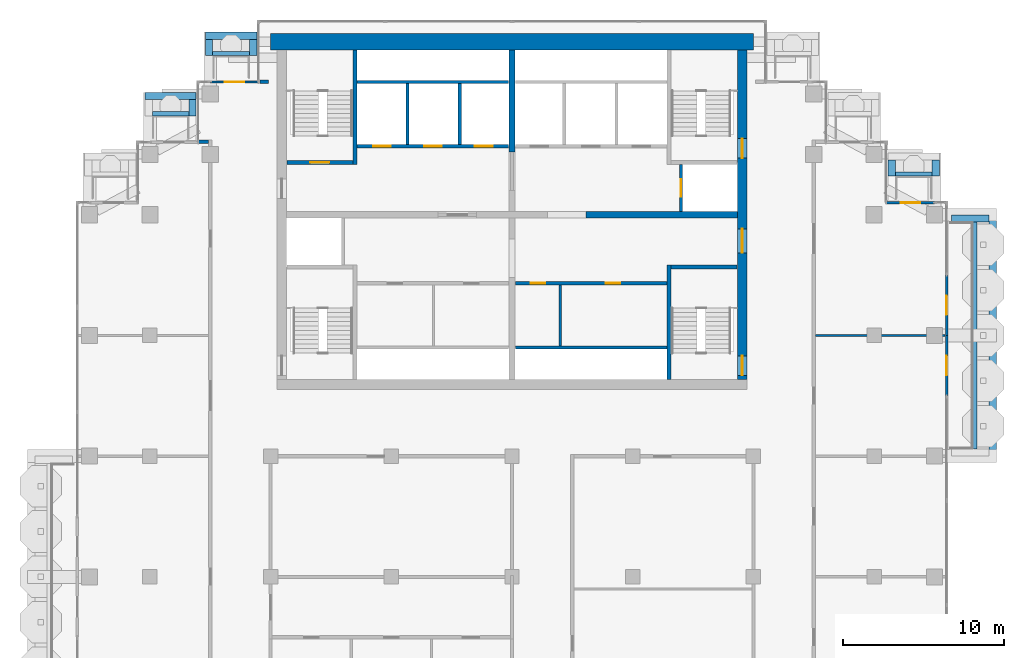
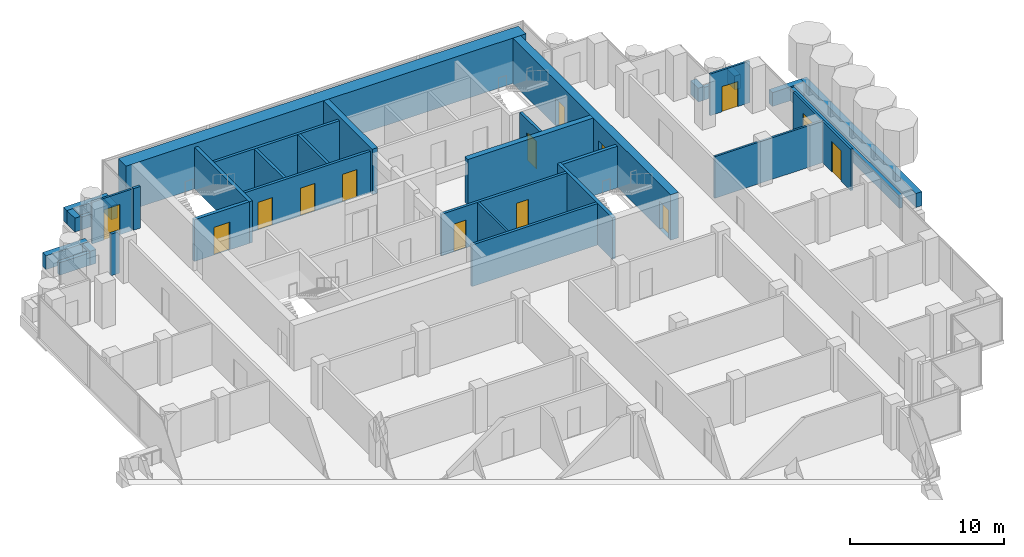
# One storey, part 13 of 18: 36 walls, 14 doors, 14 openings.
"""IFC4 building model written with IfcOpenShell, lengths in metres."""

from ifc_helpers import new_model, si_unit, direction, frame, frame_2d, origin, place, context, subcontext, project, spatial, rectangle, extrude, material, layer, layer_set, type_object, element, fill, save


model = new_model("IFC4")

# Units and contexts
model_context = context("Model", 3, precision=1e-05, world=origin(), true_north=direction((0.0, 1.0)))
body_context = subcontext(model_context, "Body", "Model", "MODEL_VIEW")
ifc_project = project(units=[si_unit("LENGTHUNIT", "METRE"), si_unit("AREAUNIT", "SQUARE_METRE"), si_unit("VOLUMEUNIT", "CUBIC_METRE"), si_unit("PLANEANGLEUNIT", "RADIAN"), si_unit("MASSUNIT", "GRAM", prefix="KILO")], contexts=[model_context])

# Site, building, storey
site_placement = place(None, origin())
site = spatial("IfcSite", under=ifc_project, at=site_placement, CompositionType="ELEMENT")
building_placement = place(site_placement, origin())
building = spatial("IfcBuilding", under=site, at=building_placement, Name="Pilkhan Gate Tower", CompositionType="ELEMENT")
storey_placement = place(building_placement, frame((0.0, 0.0, 203.10009765625)))
storey = spatial("IfcBuildingStorey", under=building, at=storey_placement, Name="L52", CompositionType="ELEMENT", Elevation=203.10009765625)

# Walls
ifc_material_1 = material(Name="Concrete C40/50", Category="concrete")
ifc_layer_1 = layer(ifc_material_1, 0.25)
ifc_layer_set_1 = layer_set([ifc_layer_1], Name="Balcony planter BP250")
wall_type_1 = type_object("IfcWallType", Name="Balcony planter BP250", PredefinedType="USERDEFINED", material=ifc_layer_set_1)
wall_1_placement = place(storey_placement, frame((103.77490234375, 67.949951171875, 0.0), z_axis=(0.0, 0.0, 1.0), x_axis=(0.0, 1.0, 0.0)))
element("IfcWall", 1, at=wall_1_placement, inside=storey, type_object=wall_type_1, Name="Balcony planter L52 E", ObjectType="BALCONY PLANTER", PredefinedType="USERDEFINED", context=body_context, shape_type="SweptSolid", body=[
    extrude(rectangle(XDim=14.10009765625, YDim=0.25, at=frame_2d((7.050048828125, 0.0))), origin(), (0.0, 0.0, 1.0), 1.0),
])
wall_2_placement = place(storey_placement, frame((56.39990234375, 92.52490234375, 0.0), z_axis=(0.0, 0.0, 1.0), x_axis=(1.0, 0.0, 0.0)))
element("IfcWall", 2, at=wall_2_placement, inside=storey, type_object=wall_type_1, Name="Balcony planter L52 N", ObjectType="BALCONY PLANTER", PredefinedType="USERDEFINED", context=body_context, shape_type="SweptSolid", body=[
    extrude(rectangle(XDim=2.300048828125, YDim=0.25, at=frame_2d((1.14990234375, 0.0))), origin(), (0.0, 0.0, 1.0), 1.0),
])
for number, where, z_axis, x_axis, name in (
    (3, (52.64990234375, 88.77490234375, 0.0), (0.0, 0.0, 1.0), (1.0, 0.0, 0.0), "Balcony planter L52 N"),
    (4, (98.820068359375, 85.02490234375, 0.0), (0.0, 0.0, 1.0), (1.0, 0.0, 0.0), "Balcony planter L52 N"),
):
    element("IfcWall", number, at=place(storey_placement, frame(where, z_axis=z_axis, x_axis=x_axis)), inside=storey, type_object=wall_type_1, Name=name, ObjectType="BALCONY PLANTER", PredefinedType="USERDEFINED", context=body_context, shape_type="SweptSolid", body=[
        extrude(rectangle(XDim=2.280029296875, YDim=0.25, at=frame_2d((1.14013671875, 0.0))), origin(), (0.0, 0.0, 1.0), 1.0),
    ])
ifc_material_2 = material(Name="Board-marked Concrete C40/50", Category="concrete")
ifc_layer_2 = layer(ifc_material_2, 0.449951171875)
ifc_layer_set_2 = layer_set([ifc_layer_2], Name="Balcony planter lip BL450")
wall_type_2 = type_object("IfcWallType", Name="Balcony planter lip BL450", PredefinedType="USERDEFINED", material=ifc_layer_set_2)
wall_3_placement = place(storey_placement, frame((104.875, 67.5, 0.0), z_axis=(0.0, 0.0, 1.0), x_axis=(0.0, 1.0, 0.0)))
element("IfcWall", 5, at=wall_3_placement, inside=storey, type_object=wall_type_2, Name="Balcony planter L52 E", ObjectType="BALCONY PLANTER", PredefinedType="USERDEFINED", context=body_context, shape_type="SweptSolid", body=[
    extrude(rectangle(XDim=15.0, YDim=0.449951171875, at=frame_2d((7.5, 0.0))), origin(), (0.0, 0.0, 1.0), 1.099853515625),
])
wall_4_placement = place(storey_placement, frame((102.300048828125, 82.27490234375, 0.0), z_axis=(0.0, 0.0, 1.0), x_axis=(1.0, 0.0, 0.0)))
element("IfcWall", 6, at=wall_4_placement, inside=storey, type_object=wall_type_2, Name="Balcony planter L52 E", ObjectType="BALCONY PLANTER", PredefinedType="USERDEFINED", context=body_context, shape_type="SweptSolid", body=[
    extrude(rectangle(XDim=2.349853515625, YDim=0.449951171875, at=frame_2d((1.1748046875, 0.0))), origin(), (0.0, 0.0, 1.0), 1.099853515625),
])
wall_5_placement = place(storey_placement, frame((55.949951171875, 93.625, 0.0), z_axis=(0.0, 0.0, 1.0), x_axis=(1.0, 0.0, 0.0)))
element("IfcWall", 7, at=wall_5_placement, inside=storey, type_object=wall_type_2, Name="Balcony planter L52 N", ObjectType="BALCONY PLANTER", PredefinedType="USERDEFINED", context=body_context, shape_type="SweptSolid", body=[
    extrude(rectangle(XDim=3.199951171875, YDim=0.449951171875, at=frame_2d((1.60009765625, 0.0))), origin(), (0.0, 0.0, 1.0), 1.099853515625),
])
for number, where, z_axis, x_axis, name in (
    (8, (56.175048828125, 92.39990234375, 0.0), (0.0, 0.0, 1.0), (0.0, 1.0, 0.0), "Balcony planter L52 N"),
    (9, (58.925048828125, 92.39990234375, 0.0), (0.0, 0.0, 1.0), (0.0, 1.0, 0.0), "Balcony planter L52 N"),
):
    element("IfcWall", number, at=place(storey_placement, frame(where, z_axis=z_axis, x_axis=x_axis)), inside=storey, type_object=wall_type_2, Name=name, ObjectType="BALCONY PLANTER", PredefinedType="USERDEFINED", context=body_context, shape_type="SweptSolid", body=[
        extrude(rectangle(XDim=1.0, YDim=0.449951171875, at=frame_2d((0.5, 0.0))), origin(), (0.0, 0.0, 1.0), 1.099853515625),
    ])
wall_6_placement = place(storey_placement, frame((52.199951171875, 89.875, 0.0), z_axis=(0.0, 0.0, 1.0), x_axis=(1.0, 0.0, 0.0)))
element("IfcWall", 10, at=wall_6_placement, inside=storey, type_object=wall_type_2, Name="Balcony planter L52 N", ObjectType="BALCONY PLANTER", PredefinedType="USERDEFINED", context=body_context, shape_type="SweptSolid", body=[
    extrude(rectangle(XDim=3.179931640625, YDim=0.449951171875, at=frame_2d((1.58984375, 0.0))), origin(), (0.0, 0.0, 1.0), 1.099853515625),
])
for number, where, z_axis, x_axis, name in (
    (11, (55.155029296875, 88.64990234375, 0.0), (0.0, 0.0, 1.0), (0.0, 1.0, 0.0), "Balcony planter L52 N"),
    (12, (98.594970703125, 84.89990234375, 0.0), (0.0, 0.0, 1.0), (0.0, 1.0, 0.0), "Balcony planter L52 N"),
    (13, (101.324951171875, 84.89990234375, 0.0), (0.0, 0.0, 1.0), (0.0, 1.0, 0.0), "Balcony planter L52 N"),
):
    element("IfcWall", number, at=place(storey_placement, frame(where, z_axis=z_axis, x_axis=x_axis)), inside=storey, type_object=wall_type_2, Name=name, ObjectType="BALCONY PLANTER", PredefinedType="USERDEFINED", context=body_context, shape_type="SweptSolid", body=[
        extrude(rectangle(XDim=1.0, YDim=0.449951171875, at=frame_2d((0.5, 0.0))), origin(), (0.0, 0.0, 1.0), 1.099853515625),
    ])
ifc_material_3 = material(Name="Concrete C50/60", Category="concrete")
ifc_layer_3 = layer(ifc_material_3, 1.0)
ifc_layer_set_3 = layer_set([ifc_layer_3], Name="Core wall CW1000 C50/60")
wall_type_3 = type_object("IfcWallType", Name="Core wall CW1000 C50/60", PredefinedType="SHEAR", material=ifc_layer_set_3)
wall_7_placement = place(storey_placement, frame((90.0, 93.25, 0.0), z_axis=(0.0, 0.0, 1.0), x_axis=(-1.0, 0.0, 0.0)))
element("IfcWall", 14, at=wall_7_placement, inside=storey, type_object=wall_type_3, Name="Core wall N L52", PredefinedType="SHEAR", context=body_context, shape_type="SweptSolid", body=[
    extrude(rectangle(XDim=30.0, YDim=1.0, at=frame_2d((15.0, 0.0))), origin(), (0.0, 0.0, 1.0), 3.599853515625),
])

# Wall, openings, doors
ifc_layer_4 = layer(ifc_material_3, 0.60009765625)
ifc_layer_set_4 = layer_set([ifc_layer_4], Name="Core wall CW600 C50/60")
wall_type_4 = type_object("IfcWallType", Name="Core wall CW600 C50/60", PredefinedType="SHEAR", material=ifc_layer_set_4)
wall_8_placement = place(storey_placement, frame((89.300048828125, 72.25, 0.0), z_axis=(0.0, 0.0, 1.0), x_axis=(0.0, 1.0, 0.0)))
wall_8 = element("IfcWall", 15, at=wall_8_placement, inside=storey, type_object=wall_type_4, Name="Core wall E L52", PredefinedType="SHEAR", context=body_context, shape_type="SweptSolid", body=[
    extrude(rectangle(XDim=20.5, YDim=0.60009765625, at=frame_2d((10.25, 0.0))), origin(), (0.0, 0.0, 1.0), 3.599853515625),
])
opening_1_placement = place(wall_8_placement, frame((0.27490234375, 0.0, 0.0)))
opening_1 = element("IfcOpeningElement", 16, at=opening_1_placement, cuts=wall_8, Name="Opening L52-03", PredefinedType="OPENING", context=body_context, shape_type="SweptSolid", body=[
    extrude(rectangle(XDim=1.199951171875, YDim=2.199951171875, at=frame_2d((0.60009765625, 1.10009765625))), frame((0.0, 0.31005859375, 0.0), z_axis=(0.0, -1.0, 0.0), x_axis=(1.0, 0.0, 0.0)), (0.0, 0.0, 1.0), 0.6201171875),
])
opening_2_placement = place(wall_8_placement, frame((13.77490234375, 0.0, 0.0)))
opening_2 = element("IfcOpeningElement", 17, at=opening_2_placement, cuts=wall_8, Name="Opening L52-05", PredefinedType="OPENING", context=body_context, shape_type="SweptSolid", body=[
    extrude(rectangle(XDim=1.199951171875, YDim=2.199951171875, at=frame_2d((0.60009765625, 1.10009765625))), frame((0.0, 0.31005859375, 0.0), z_axis=(0.0, -1.0, 0.0), x_axis=(1.0, 0.0, 0.0)), (0.0, 0.0, 1.0), 0.6201171875),
])
opening_3_placement = place(wall_8_placement, frame((7.875, 0.0, 0.0)))
opening_3 = element("IfcOpeningElement", 18, at=opening_3_placement, cuts=wall_8, Name="Opening L52-06", PredefinedType="OPENING", context=body_context, shape_type="SweptSolid", body=[
    extrude(rectangle(XDim=1.5, YDim=2.199951171875, at=frame_2d((0.75, 1.10009765625))), frame((0.0, 0.31005859375, 0.0), z_axis=(0.0, -1.0, 0.0), x_axis=(1.0, 0.0, 0.0)), (0.0, 0.0, 1.0), 0.6201171875),
])
ifc_material_4 = material(Name="Steel framed glazed door, 60 minute fire resisting", Category="steel")
door_type_1 = type_object("IfcDoorType", Name="Lobby door D09 1500x2200", OperationType="DOUBLE_DOOR_SINGLE_SWING", PredefinedType="DOOR", material=ifc_material_4)
door_1_placement = place(opening_3_placement, origin())
door_1 = element("IfcDoor", 19, at=door_1_placement, inside=storey, type_object=door_type_1, Name="Core door", OperationType="DOUBLE_DOOR_SINGLE_SWING", OverallHeight=2.199951171875, OverallWidth=1.5, PredefinedType="DOOR", context=body_context, shape_type="SweptSolid", body=[
    extrude(rectangle(XDim=1.5, YDim=2.199951171875, at=frame_2d((0.75, 1.10009765625))), frame((0.0, 0.02490234375, 0.0), z_axis=(0.0, -1.0, 0.0), x_axis=(1.0, 0.0, 0.0)), (0.0, 0.0, 1.0), 0.050048828125),
])
fill(opening_3, door_1)
ifc_material_5 = material(Name="Steel door, 120 minute fire resisting, panic bar", Category="steel")
door_type_2 = type_object("IfcDoorType", Name="Stair door D11 1200x2200", OperationType="SINGLE_SWING_LEFT", PredefinedType="DOOR", material=ifc_material_5)
door_2_placement = place(opening_1_placement, origin())
door_2 = element("IfcDoor", 20, at=door_2_placement, inside=storey, type_object=door_type_2, Name="Stair ST1 door", OperationType="SINGLE_SWING_RIGHT", OverallHeight=2.199951171875, OverallWidth=1.199951171875, PredefinedType="DOOR", context=body_context, shape_type="SweptSolid", body=[
    extrude(rectangle(XDim=1.199951171875, YDim=2.199951171875, at=frame_2d((0.60009765625, 1.10009765625))), frame((0.0, 0.02490234375, 0.0), z_axis=(0.0, -1.0, 0.0), x_axis=(1.0, 0.0, 0.0)), (0.0, 0.0, 1.0), 0.050048828125),
])
fill(opening_1, door_2)
door_3_placement = place(opening_2_placement, origin())
door_3 = element("IfcDoor", 21, at=door_3_placement, inside=storey, type_object=door_type_2, Name="Stair ST4 door", OperationType="SINGLE_SWING_LEFT", OverallHeight=2.199951171875, OverallWidth=1.199951171875, PredefinedType="DOOR", context=body_context, shape_type="SweptSolid", body=[
    extrude(rectangle(XDim=1.199951171875, YDim=2.199951171875, at=frame_2d((0.60009765625, 1.10009765625))), frame((0.0, 0.02490234375, 0.0), z_axis=(0.0, -1.0, 0.0), x_axis=(1.0, 0.0, 0.0)), (0.0, 0.0, 1.0), 0.050048828125),
])
fill(opening_2, door_3)

# Walls
ifc_material_6 = material(Name="Dense blockwork", Category="masonry")
ifc_layer_5 = layer(ifc_material_6, 0.199951171875)
ifc_layer_set_5 = layer_set([ifc_layer_5], Name="Corridor wall FW200")
wall_type_5 = type_object("IfcWallType", Name="Corridor wall FW200", PredefinedType="PARTITIONING", material=ifc_layer_set_5)
wall_9_placement = place(storey_placement, frame((55.510009765625, 87.030029296875, 0.0), z_axis=(0.0, 0.0, 1.0), x_axis=(1.0, 0.0, 0.0)))
element("IfcWall", 22, at=wall_9_placement, inside=storey, type_object=wall_type_5, Name="Partition L52", PredefinedType="PARTITIONING", context=body_context, shape_type="SweptSolid", body=[
    extrude(rectangle(XDim=0.639892578125, YDim=0.199951171875, at=frame_2d((0.31982421875, 0.0))), origin(), (0.0, 0.0, 1.0), 3.2998046875),
])
wall_10_placement = place(storey_placement, frame((59.35498046875, 90.764892578125, 0.0), z_axis=(0.0, 0.0, 1.0), x_axis=(1.0, 0.0, 0.0)))
element("IfcWall", 23, at=wall_10_placement, inside=storey, type_object=wall_type_5, Name="Partition L52", PredefinedType="PARTITIONING", context=body_context, shape_type="SweptSolid", body=[
    extrude(rectangle(XDim=0.52490234375, YDim=0.199951171875, at=frame_2d((0.262451171875, 0.0))), origin(), (0.0, 0.0, 1.0), 3.2998046875),
])

# Wall, opening, door
ifc_material_7 = material(Name="Pale anodised aluminium, clear laminated glazing", Category="aluminium")
ifc_layer_6 = layer(ifc_material_7, 0.14990234375)
ifc_layer_set_6 = layer_set([ifc_layer_6], Name="Facade infill wall IW150")
wall_type_6 = type_object("IfcWallType", Name="Facade infill wall IW150", PredefinedType="SOLIDWALL", material=ifc_layer_set_6)
wall_11_placement = place(storey_placement, frame((102.0, 71.25, 0.0), z_axis=(0.0, 0.0, 1.0), x_axis=(0.0, 1.0, 0.0)))
wall_11 = element("IfcWall", 24, at=wall_11_placement, inside=storey, type_object=wall_type_6, Name="Infill wall L52 E", PredefinedType="SOLIDWALL", context=body_context, shape_type="SweptSolid", body=[
    extrude(rectangle(XDim=3.75, YDim=0.14990234375, at=frame_2d((1.875, 0.0))), origin(), (0.0, 0.0, 1.0), 3.2998046875),
])
opening_4_placement = place(wall_11_placement, frame((1.27490234375, 0.0, 0.0)))
opening_4 = element("IfcOpeningElement", 25, at=opening_4_placement, cuts=wall_11, Name="Opening D1", PredefinedType="OPENING", context=body_context, shape_type="SweptSolid", body=[
    extrude(rectangle(XDim=1.199951171875, YDim=2.39990234375, at=frame_2d((0.60009765625, 1.199951171875))), frame((0.0, 0.0849609375, 0.0), z_axis=(0.0, -1.0, 0.0), x_axis=(1.0, 0.0, 0.0)), (0.0, 0.0, 1.0), 0.169921875),
])
ifc_material_8 = material(Name="Pale anodised aluminium, clear glazing", Category="aluminium")
door_type_3 = type_object("IfcDoorType", Name="Balcony door D1 1200x2400", OperationType="SINGLE_SWING_LEFT", PredefinedType="DOOR", material=ifc_material_8)
door_4_placement = place(opening_4_placement, origin())
door_4 = element("IfcDoor", 26, at=door_4_placement, inside=storey, type_object=door_type_3, Name="Balcony door L52", OperationType="SINGLE_SWING_LEFT", OverallHeight=2.39990234375, OverallWidth=1.199951171875, PredefinedType="DOOR", context=body_context, shape_type="SweptSolid", body=[
    extrude(rectangle(XDim=1.199951171875, YDim=2.39990234375, at=frame_2d((0.60009765625, 1.199951171875))), frame((0.0, 0.02490234375, 0.0), z_axis=(0.0, -1.0, 0.0), x_axis=(1.0, 0.0, 0.0)), (0.0, 0.0, 1.0), 0.050048828125),
])
fill(opening_4, door_4)

wall_12_placement = place(storey_placement, frame((102.0, 75.0, 0.0), z_axis=(0.0, 0.0, 1.0), x_axis=(0.0, 1.0, 0.0)))
wall_12 = element("IfcWall", 27, at=wall_12_placement, inside=storey, type_object=wall_type_6, Name="Infill wall L52 E", PredefinedType="SOLIDWALL", context=body_context, shape_type="SweptSolid", body=[
    extrude(rectangle(XDim=3.75, YDim=0.14990234375, at=frame_2d((1.875, 0.0))), origin(), (0.0, 0.0, 1.0), 3.2998046875),
])
opening_5_placement = place(wall_12_placement, frame((1.27490234375, 0.0, 0.0)))
opening_5 = element("IfcOpeningElement", 28, at=opening_5_placement, cuts=wall_12, Name="Opening D1", PredefinedType="OPENING", context=body_context, shape_type="SweptSolid", body=[
    extrude(rectangle(XDim=1.199951171875, YDim=2.39990234375, at=frame_2d((0.60009765625, 1.199951171875))), frame((0.0, 0.0849609375, 0.0), z_axis=(0.0, -1.0, 0.0), x_axis=(1.0, 0.0, 0.0)), (0.0, 0.0, 1.0), 0.169921875),
])
door_5_placement = place(opening_5_placement, origin())
door_5 = element("IfcDoor", 29, at=door_5_placement, inside=storey, type_object=door_type_3, Name="Balcony door L52", OperationType="SINGLE_SWING_LEFT", OverallHeight=2.39990234375, OverallWidth=1.199951171875, PredefinedType="DOOR", context=body_context, shape_type="SweptSolid", body=[
    extrude(rectangle(XDim=1.199951171875, YDim=2.39990234375, at=frame_2d((0.60009765625, 1.199951171875))), frame((0.0, 0.02490234375, 0.0), z_axis=(0.0, -1.0, 0.0), x_axis=(1.0, 0.0, 0.0)), (0.0, 0.0, 1.0), 0.050048828125),
])
fill(opening_5, door_5)

wall_13_placement = place(storey_placement, frame((98.25, 83.25, 0.0), z_axis=(0.0, 0.0, 1.0), x_axis=(1.0, 0.0, 0.0)))
wall_13 = element("IfcWall", 30, at=wall_13_placement, inside=storey, type_object=wall_type_6, Name="Infill wall L52 N", PredefinedType="SOLIDWALL", context=body_context, shape_type="SweptSolid", body=[
    extrude(rectangle(XDim=3.0, YDim=0.14990234375, at=frame_2d((1.5, 0.0))), origin(), (0.0, 0.0, 1.0), 3.2998046875),
])
opening_6_placement = place(wall_13_placement, frame((0.89990234375, 0.0, 0.0)))
opening_6 = element("IfcOpeningElement", 31, at=opening_6_placement, cuts=wall_13, Name="Opening D1L", PredefinedType="OPENING", context=body_context, shape_type="SweptSolid", body=[
    extrude(rectangle(XDim=1.199951171875, YDim=2.0, at=frame_2d((0.60009765625, 1.0))), frame((0.0, 0.0849609375, 0.0), z_axis=(0.0, -1.0, 0.0), x_axis=(1.0, 0.0, 0.0)), (0.0, 0.0, 1.0), 0.169921875),
])
door_type_4 = type_object("IfcDoorType", Name="Balcony door D1L 1200x2000", OperationType="SINGLE_SWING_LEFT", PredefinedType="DOOR", material=ifc_material_8)
door_6_placement = place(opening_6_placement, origin())
door_6 = element("IfcDoor", 32, at=door_6_placement, inside=storey, type_object=door_type_4, Name="Balcony door L52", OperationType="SINGLE_SWING_LEFT", OverallHeight=2.0, OverallWidth=1.199951171875, PredefinedType="DOOR", context=body_context, shape_type="SweptSolid", body=[
    extrude(rectangle(XDim=1.199951171875, YDim=2.0, at=frame_2d((0.60009765625, 1.0))), frame((0.0, 0.02490234375, 0.0), z_axis=(0.0, -1.0, 0.0), x_axis=(1.0, 0.0, 0.0)), (0.0, 0.0, 1.0), 0.050048828125),
])
fill(opening_6, door_6)

wall_14_placement = place(storey_placement, frame((56.25, 90.75, 0.0), z_axis=(0.0, 0.0, 1.0), x_axis=(1.0, 0.0, 0.0)))
wall_14 = element("IfcWall", 33, at=wall_14_placement, inside=storey, type_object=wall_type_6, Name="Infill wall L52 N", PredefinedType="SOLIDWALL", context=body_context, shape_type="SweptSolid", body=[
    extrude(rectangle(XDim=3.0, YDim=0.14990234375, at=frame_2d((1.5, 0.0))), origin(), (0.0, 0.0, 1.0), 3.2998046875),
])
opening_7_placement = place(wall_14_placement, frame((0.89990234375, 0.0, 0.0)))
opening_7 = element("IfcOpeningElement", 34, at=opening_7_placement, cuts=wall_14, Name="Opening D1", PredefinedType="OPENING", context=body_context, shape_type="SweptSolid", body=[
    extrude(rectangle(XDim=1.199951171875, YDim=2.39990234375, at=frame_2d((0.60009765625, 1.199951171875))), frame((0.0, 0.0849609375, 0.0), z_axis=(0.0, -1.0, 0.0), x_axis=(1.0, 0.0, 0.0)), (0.0, 0.0, 1.0), 0.169921875),
])
door_7_placement = place(opening_7_placement, origin())
door_7 = element("IfcDoor", 35, at=door_7_placement, inside=storey, type_object=door_type_3, Name="Balcony door L52", OperationType="SINGLE_SWING_LEFT", OverallHeight=2.39990234375, OverallWidth=1.199951171875, PredefinedType="DOOR", context=body_context, shape_type="SweptSolid", body=[
    extrude(rectangle(XDim=1.199951171875, YDim=2.39990234375, at=frame_2d((0.60009765625, 1.199951171875))), frame((0.0, 0.02490234375, 0.0), z_axis=(0.0, -1.0, 0.0), x_axis=(1.0, 0.0, 0.0)), (0.0, 0.0, 1.0), 0.050048828125),
])
fill(opening_7, door_7)

# Wall
ifc_layer_7 = layer(ifc_material_6, 0.199951171875)
ifc_layer_set_7 = layer_set([ifc_layer_7], Name="Lobby wall LW200")
wall_type_7 = type_object("IfcWallType", Name="Lobby wall LW200", PredefinedType="PARTITIONING", material=ifc_layer_set_7)
wall_15_placement = place(storey_placement, frame((75.2099609375, 74.25, 0.0), z_axis=(0.0, 0.0, 1.0), x_axis=(1.0, 0.0, 0.0)))
element("IfcWall", 36, at=wall_15_placement, inside=storey, type_object=wall_type_7, Name="Partition L52", PredefinedType="PARTITIONING", context=body_context, shape_type="SweptSolid", body=[
    extrude(rectangle(XDim=9.4150390625, YDim=0.199951171875, at=frame_2d((4.70751953125, 0.0))), origin(), (0.0, 0.0, 1.0), 3.2998046875),
])

# Wall, openings, doors
wall_16_placement = place(storey_placement, frame((75.2099609375, 78.25, 0.0), z_axis=(0.0, 0.0, 1.0), x_axis=(1.0, 0.0, 0.0)))
wall_16 = element("IfcWall", 37, at=wall_16_placement, inside=storey, type_object=wall_type_7, Name="Partition L52", PredefinedType="PARTITIONING", context=body_context, shape_type="SweptSolid", body=[
    extrude(rectangle(XDim=9.4150390625, YDim=0.199951171875, at=frame_2d((4.70751953125, 0.0))), origin(), (0.0, 0.0, 1.0), 3.2998046875),
])
opening_8_placement = place(wall_16_placement, frame((0.949951171875, 0.0, 0.0)))
opening_8 = element("IfcOpeningElement", 38, at=opening_8_placement, cuts=wall_16, Name="Opening L52-10", PredefinedType="OPENING", context=body_context, shape_type="SweptSolid", body=[
    extrude(rectangle(XDim=0.89990234375, YDim=2.199951171875, at=frame_2d((0.449951171875, 1.10009765625))), frame((0.0, 0.10986328125, 0.0), z_axis=(0.0, -1.0, 0.0), x_axis=(1.0, 0.0, 0.0)), (0.0, 0.0, 1.0), 0.219970703125),
])
opening_9_placement = place(wall_16_placement, frame((5.6298828125, 0.0, 0.0)))
opening_9 = element("IfcOpeningElement", 39, at=opening_9_placement, cuts=wall_16, Name="Opening L52-11", PredefinedType="OPENING", context=body_context, shape_type="SweptSolid", body=[
    extrude(rectangle(XDim=0.89990234375, YDim=2.199951171875, at=frame_2d((0.449951171875, 1.10009765625))), frame((0.0, 0.10986328125, 0.0), z_axis=(0.0, -1.0, 0.0), x_axis=(1.0, 0.0, 0.0)), (0.0, 0.0, 1.0), 0.219970703125),
])
ifc_material_9 = material(Name="Timber flush door, 60 minute fire resisting, self-closing", Category="wood")
door_type_5 = type_object("IfcDoorType", Name="Store door D05 900x2200", OperationType="SINGLE_SWING_LEFT", PredefinedType="DOOR", material=ifc_material_9)
door_8_placement = place(opening_8_placement, origin())
door_8 = element("IfcDoor", 40, at=door_8_placement, inside=storey, type_object=door_type_5, Name="Store door", OperationType="SINGLE_SWING_LEFT", OverallHeight=2.199951171875, OverallWidth=0.89990234375, PredefinedType="DOOR", context=body_context, shape_type="SweptSolid", body=[
    extrude(rectangle(XDim=0.89990234375, YDim=2.199951171875, at=frame_2d((0.449951171875, 1.10009765625))), frame((0.0, 0.02490234375, 0.0), z_axis=(0.0, -1.0, 0.0), x_axis=(1.0, 0.0, 0.0)), (0.0, 0.0, 1.0), 0.050048828125),
])
fill(opening_8, door_8)
door_9_placement = place(opening_9_placement, origin())
door_9 = element("IfcDoor", 41, at=door_9_placement, inside=storey, type_object=door_type_5, Name="Store door", OperationType="SINGLE_SWING_LEFT", OverallHeight=2.199951171875, OverallWidth=0.89990234375, PredefinedType="DOOR", context=body_context, shape_type="SweptSolid", body=[
    extrude(rectangle(XDim=0.89990234375, YDim=2.199951171875, at=frame_2d((0.449951171875, 1.10009765625))), frame((0.0, 0.02490234375, 0.0), z_axis=(0.0, -1.0, 0.0), x_axis=(1.0, 0.0, 0.0)), (0.0, 0.0, 1.0), 0.050048828125),
])
fill(opening_9, door_9)

# Walls
ifc_material_10 = material(Name="Blockwork partition, plastered both sides", Category="masonry")
ifc_layer_8 = layer(ifc_material_10, 0.14990234375)
ifc_layer_set_8 = layer_set([ifc_layer_8], Name="Partition PW150")
wall_type_8 = type_object("IfcWallType", Name="Partition PW150", PredefinedType="PARTITIONING", material=ifc_layer_set_8)
wall_17_placement = place(storey_placement, frame((93.85009765625, 75.0, 0.0), z_axis=(0.0, 0.0, 1.0), x_axis=(1.0, 0.0, 0.0)))
element("IfcWall", 42, at=wall_17_placement, inside=storey, type_object=wall_type_8, Name="Partition L52", PredefinedType="PARTITIONING", context=body_context, shape_type="SweptSolid", body=[
    extrude(rectangle(XDim=8.06494140625, YDim=0.14990234375, at=frame_2d((4.032470703125, 0.0))), origin(), (0.0, 0.0, 1.0), 3.2998046875),
])
wall_18_placement = place(storey_placement, frame((77.989990234375, 74.35009765625, 0.0), z_axis=(0.0, 0.0, 1.0), x_axis=(0.0, 1.0, 0.0)))
element("IfcWall", 43, at=wall_18_placement, inside=storey, type_object=wall_type_8, Name="Partition L52", PredefinedType="PARTITIONING", context=body_context, shape_type="SweptSolid", body=[
    extrude(rectangle(XDim=3.7998046875, YDim=0.14990234375, at=frame_2d((1.89990234375, 0.0))), origin(), (0.0, 0.0, 1.0), 3.2998046875),
])

# Wall, openings, doors
ifc_material_11 = material(Name="Reinforced blockwork shaft wall, 120 minute fire resisting", Category="masonry")
ifc_layer_9 = layer(ifc_material_11, 0.199951171875)
ifc_layer_set_9 = layer_set([ifc_layer_9], Name="Shaft wall SW200")
wall_type_9 = type_object("IfcWallType", Name="Shaft wall SW200", PredefinedType="PARTITIONING", material=ifc_layer_set_9)
wall_19_placement = place(storey_placement, frame((65.375, 86.75, 0.0), z_axis=(0.0, 0.0, 1.0), x_axis=(1.0, 0.0, 0.0)))
wall_19 = element("IfcWall", 44, at=wall_19_placement, inside=storey, type_object=wall_type_9, Name="Partition L52", PredefinedType="PARTITIONING", context=body_context, shape_type="SweptSolid", body=[
    extrude(rectangle(XDim=9.4150390625, YDim=0.199951171875, at=frame_2d((4.70751953125, 0.0))), origin(), (0.0, 0.0, 1.0), 3.2998046875),
])
opening_10_placement = place(wall_19_placement, frame((1.0, 0.0, 0.0)))
opening_10 = element("IfcOpeningElement", 45, at=opening_10_placement, cuts=wall_19, Name="Opening LD", PredefinedType="OPENING", context=body_context, shape_type="SweptSolid", body=[
    extrude(rectangle(XDim=1.10009765625, YDim=2.199951171875, at=frame_2d((0.550048828125, 1.10009765625))), frame((0.0, 0.10986328125, 0.0), z_axis=(0.0, -1.0, 0.0), x_axis=(1.0, 0.0, 0.0)), (0.0, 0.0, 1.0), 0.219970703125),
])
opening_11_placement = place(wall_19_placement, frame((4.175048828125, 0.0, 0.0)))
opening_11 = element("IfcOpeningElement", 46, at=opening_11_placement, cuts=wall_19, Name="Opening LD", PredefinedType="OPENING", context=body_context, shape_type="SweptSolid", body=[
    extrude(rectangle(XDim=1.10009765625, YDim=2.199951171875, at=frame_2d((0.550048828125, 1.10009765625))), frame((0.0, 0.10986328125, 0.0), z_axis=(0.0, -1.0, 0.0), x_axis=(1.0, 0.0, 0.0)), (0.0, 0.0, 1.0), 0.219970703125),
])
opening_12_placement = place(wall_19_placement, frame((7.324951171875, 0.0, 0.0)))
opening_12 = element("IfcOpeningElement", 47, at=opening_12_placement, cuts=wall_19, Name="Opening LD", PredefinedType="OPENING", context=body_context, shape_type="SweptSolid", body=[
    extrude(rectangle(XDim=1.10009765625, YDim=2.199951171875, at=frame_2d((0.550048828125, 1.10009765625))), frame((0.0, 0.10986328125, 0.0), z_axis=(0.0, -1.0, 0.0), x_axis=(1.0, 0.0, 0.0)), (0.0, 0.0, 1.0), 0.219970703125),
])
ifc_material_12 = material(Name="Stainless steel centre-opening landing door, 120 minute fire resisting", Category="steel")
door_type_6 = type_object("IfcDoorType", Name="Lift landing door LD 1100x2200", OperationType="DOUBLE_DOOR_SLIDING", PredefinedType="DOOR", material=ifc_material_12)
door_10_placement = place(opening_10_placement, origin())
door_10 = element("IfcDoor", 48, at=door_10_placement, inside=storey, type_object=door_type_6, Name="Landing door FF1", OperationType="DOUBLE_DOOR_SLIDING", OverallHeight=2.199951171875, OverallWidth=1.10009765625, PredefinedType="DOOR", context=body_context, shape_type="SweptSolid", body=[
    extrude(rectangle(XDim=1.10009765625, YDim=2.199951171875, at=frame_2d((0.550048828125, 1.10009765625))), frame((0.0, 0.02490234375, 0.0), z_axis=(0.0, -1.0, 0.0), x_axis=(1.0, 0.0, 0.0)), (0.0, 0.0, 1.0), 0.050048828125),
])
fill(opening_10, door_10)
door_11_placement = place(opening_11_placement, origin())
door_11 = element("IfcDoor", 49, at=door_11_placement, inside=storey, type_object=door_type_6, Name="Landing door FF2", OperationType="DOUBLE_DOOR_SLIDING", OverallHeight=2.199951171875, OverallWidth=1.10009765625, PredefinedType="DOOR", context=body_context, shape_type="SweptSolid", body=[
    extrude(rectangle(XDim=1.10009765625, YDim=2.199951171875, at=frame_2d((0.550048828125, 1.10009765625))), frame((0.0, 0.02490234375, 0.0), z_axis=(0.0, -1.0, 0.0), x_axis=(1.0, 0.0, 0.0)), (0.0, 0.0, 1.0), 0.050048828125),
])
fill(opening_11, door_11)
door_12_placement = place(opening_12_placement, origin())
door_12 = element("IfcDoor", 50, at=door_12_placement, inside=storey, type_object=door_type_6, Name="Landing door SV1", OperationType="DOUBLE_DOOR_SLIDING", OverallHeight=2.199951171875, OverallWidth=1.10009765625, PredefinedType="DOOR", context=body_context, shape_type="SweptSolid", body=[
    extrude(rectangle(XDim=1.10009765625, YDim=2.199951171875, at=frame_2d((0.550048828125, 1.10009765625))), frame((0.0, 0.02490234375, 0.0), z_axis=(0.0, -1.0, 0.0), x_axis=(1.0, 0.0, 0.0)), (0.0, 0.0, 1.0), 0.050048828125),
])
fill(opening_12, door_12)

# Walls
wall_20_placement = place(storey_placement, frame((65.375, 90.75, 0.0), z_axis=(0.0, 0.0, 1.0), x_axis=(1.0, 0.0, 0.0)))
element("IfcWall", 51, at=wall_20_placement, inside=storey, type_object=wall_type_9, Name="Partition L52", PredefinedType="PARTITIONING", context=body_context, shape_type="SweptSolid", body=[
    extrude(rectangle(XDim=9.4150390625, YDim=0.199951171875, at=frame_2d((4.70751953125, 0.0))), origin(), (0.0, 0.0, 1.0), 3.2998046875),
])
for number, where, z_axis, x_axis, name in (
    (52, (68.5, 86.85009765625, 0.0), (0.0, 0.0, 1.0), (0.0, 1.0, 0.0), "Partition L52"),
    (53, (71.75, 86.85009765625, 0.0), (0.0, 0.0, 1.0), (0.0, 1.0, 0.0), "Partition L52"),
):
    element("IfcWall", number, at=place(storey_placement, frame(where, z_axis=z_axis, x_axis=x_axis)), inside=storey, type_object=wall_type_9, Name=name, PredefinedType="PARTITIONING", context=body_context, shape_type="SweptSolid", body=[
        extrude(rectangle(XDim=3.7998046875, YDim=0.199951171875, at=frame_2d((1.89990234375, 0.0))), origin(), (0.0, 0.0, 1.0), 3.2998046875),
    ])

# Wall, opening, door
wall_21_placement = place(storey_placement, frame((85.5, 82.7099609375, 0.0), z_axis=(0.0, 0.0, 1.0), x_axis=(0.0, 1.0, 0.0)))
wall_21 = element("IfcWall", 54, at=wall_21_placement, inside=storey, type_object=wall_type_9, Name="Partition L52", PredefinedType="PARTITIONING", context=body_context, shape_type="SweptSolid", body=[
    extrude(rectangle(XDim=2.9150390625, YDim=0.199951171875, at=frame_2d((1.45751953125, 0.0))), origin(), (0.0, 0.0, 1.0), 3.2998046875),
])
opening_13_placement = place(wall_21_placement, frame((0.89990234375, 0.0, 0.0)))
opening_13 = element("IfcOpeningElement", 55, at=opening_13_placement, cuts=wall_21, Name="Opening LD", PredefinedType="OPENING", context=body_context, shape_type="SweptSolid", body=[
    extrude(rectangle(XDim=1.10009765625, YDim=2.199951171875, at=frame_2d((0.550048828125, 1.10009765625))), frame((0.0, 0.10986328125, 0.0), z_axis=(0.0, -1.0, 0.0), x_axis=(1.0, 0.0, 0.0)), (0.0, 0.0, 1.0), 0.219970703125),
])
door_13_placement = place(opening_13_placement, origin())
door_13 = element("IfcDoor", 56, at=door_13_placement, inside=storey, type_object=door_type_6, Name="Landing door HR4", OperationType="DOUBLE_DOOR_SLIDING", OverallHeight=2.199951171875, OverallWidth=1.10009765625, PredefinedType="DOOR", context=body_context, shape_type="SweptSolid", body=[
    extrude(rectangle(XDim=1.10009765625, YDim=2.199951171875, at=frame_2d((0.550048828125, 1.10009765625))), frame((0.0, 0.02490234375, 0.0), z_axis=(0.0, -1.0, 0.0), x_axis=(1.0, 0.0, 0.0)), (0.0, 0.0, 1.0), 0.050048828125),
])
fill(opening_13, door_13)

# Walls
ifc_layer_10 = layer(ifc_material_3, 0.39990234375)
ifc_layer_set_10 = layer_set([ifc_layer_10], Name="Spine wall SW400 C50/60")
wall_type_10 = type_object("IfcWallType", Name="Spine wall SW400 C50/60", PredefinedType="SHEAR", material=ifc_layer_set_10)
wall_22_placement = place(storey_placement, frame((79.60009765625, 82.5, 0.0), z_axis=(0.0, 0.0, 1.0), x_axis=(1.0, 0.0, 0.0)))
element("IfcWall", 57, at=wall_22_placement, inside=storey, type_object=wall_type_10, Name="Spine wall SP-EW3 L52", PredefinedType="SHEAR", context=body_context, shape_type="SweptSolid", body=[
    extrude(rectangle(XDim=9.39990234375, YDim=0.39990234375, at=frame_2d((4.699951171875, 0.0))), origin(), (0.0, 0.0, 1.0), 3.599853515625),
])
wall_23_placement = place(storey_placement, frame((75.0, 86.39990234375, 0.0), z_axis=(0.0, 0.0, 1.0), x_axis=(0.0, 1.0, 0.0)))
element("IfcWall", 58, at=wall_23_placement, inside=storey, type_object=wall_type_10, Name="Spine wall SP-NS-N2 L52", PredefinedType="SHEAR", context=body_context, shape_type="SweptSolid", body=[
    extrude(rectangle(XDim=6.35009765625, YDim=0.39990234375, at=frame_2d((3.175048828125, 0.0))), origin(), (0.0, 0.0, 1.0), 3.599853515625),
])
ifc_material_13 = material(Name="Reinforced blockwork, 120 minute fire resisting", Category="masonry")
ifc_layer_11 = layer(ifc_material_13, 0.25)
ifc_layer_set_11 = layer_set([ifc_layer_11], Name="Stair enclosure wall SE250")
wall_type_11 = type_object("IfcWallType", Name="Stair enclosure wall SE250", PredefinedType="PARTITIONING", material=ifc_layer_set_11)
wall_24_placement = place(storey_placement, frame((84.875, 79.25, 0.0), z_axis=(0.0, 0.0, 1.0), x_axis=(1.0, 0.0, 0.0)))
element("IfcWall", 59, at=wall_24_placement, inside=storey, type_object=wall_type_11, Name="Partition L52", PredefinedType="PARTITIONING", context=body_context, shape_type="SweptSolid", body=[
    extrude(rectangle(XDim=4.114990234375, YDim=0.25, at=frame_2d((2.0576171875, 0.0))), origin(), (0.0, 0.0, 1.0), 3.2998046875),
])

# Wall, opening, door
wall_25_placement = place(storey_placement, frame((61.010009765625, 85.75, 0.0), z_axis=(0.0, 0.0, 1.0), x_axis=(1.0, 0.0, 0.0)))
wall_25 = element("IfcWall", 60, at=wall_25_placement, inside=storey, type_object=wall_type_11, Name="Partition L52", PredefinedType="PARTITIONING", context=body_context, shape_type="SweptSolid", body=[
    extrude(rectangle(XDim=4.114990234375, YDim=0.25, at=frame_2d((2.0576171875, 0.0))), origin(), (0.0, 0.0, 1.0), 3.2998046875),
])
opening_14_placement = place(wall_25_placement, frame((1.449951171875, 0.0, 0.0)))
opening_14 = element("IfcOpeningElement", 61, at=opening_14_placement, cuts=wall_25, Name="Opening L52-02", PredefinedType="OPENING", context=body_context, shape_type="SweptSolid", body=[
    extrude(rectangle(XDim=1.199951171875, YDim=2.199951171875, at=frame_2d((0.60009765625, 1.10009765625))), frame((0.0, 0.135009765625, 0.0), z_axis=(0.0, -1.0, 0.0), x_axis=(1.0, 0.0, 0.0)), (0.0, 0.0, 1.0), 0.27001953125),
])
door_14_placement = place(opening_14_placement, origin())
door_14 = element("IfcDoor", 62, at=door_14_placement, inside=storey, type_object=door_type_2, Name="Stair ST3 lobby door", OperationType="SINGLE_SWING_LEFT", OverallHeight=2.199951171875, OverallWidth=1.199951171875, PredefinedType="DOOR", context=body_context, shape_type="SweptSolid", body=[
    extrude(rectangle(XDim=1.199951171875, YDim=2.199951171875, at=frame_2d((0.60009765625, 1.10009765625))), frame((0.0, 0.02490234375, 0.0), z_axis=(0.0, -1.0, 0.0), x_axis=(1.0, 0.0, 0.0)), (0.0, 0.0, 1.0), 0.050048828125),
])
fill(opening_14, door_14)

# Walls
for number, where, z_axis, x_axis, name in (
    (63, (65.25, 85.625, 0.0), (0.0, 0.0, 1.0), (0.0, 1.0, 0.0), "Partition L52"),
    (64, (84.75, 72.260009765625, 0.0), (0.0, 0.0, 1.0), (0.0, 1.0, 0.0), "Partition L52"),
):
    element("IfcWall", number, at=place(storey_placement, frame(where, z_axis=z_axis, x_axis=x_axis)), inside=storey, type_object=wall_type_11, Name=name, PredefinedType="PARTITIONING", context=body_context, shape_type="SweptSolid", body=[
        extrude(rectangle(XDim=7.114990234375, YDim=0.25, at=frame_2d((3.5576171875, 0.0))), origin(), (0.0, 0.0, 1.0), 3.2998046875),
    ])

save(model, "model.ifc")
